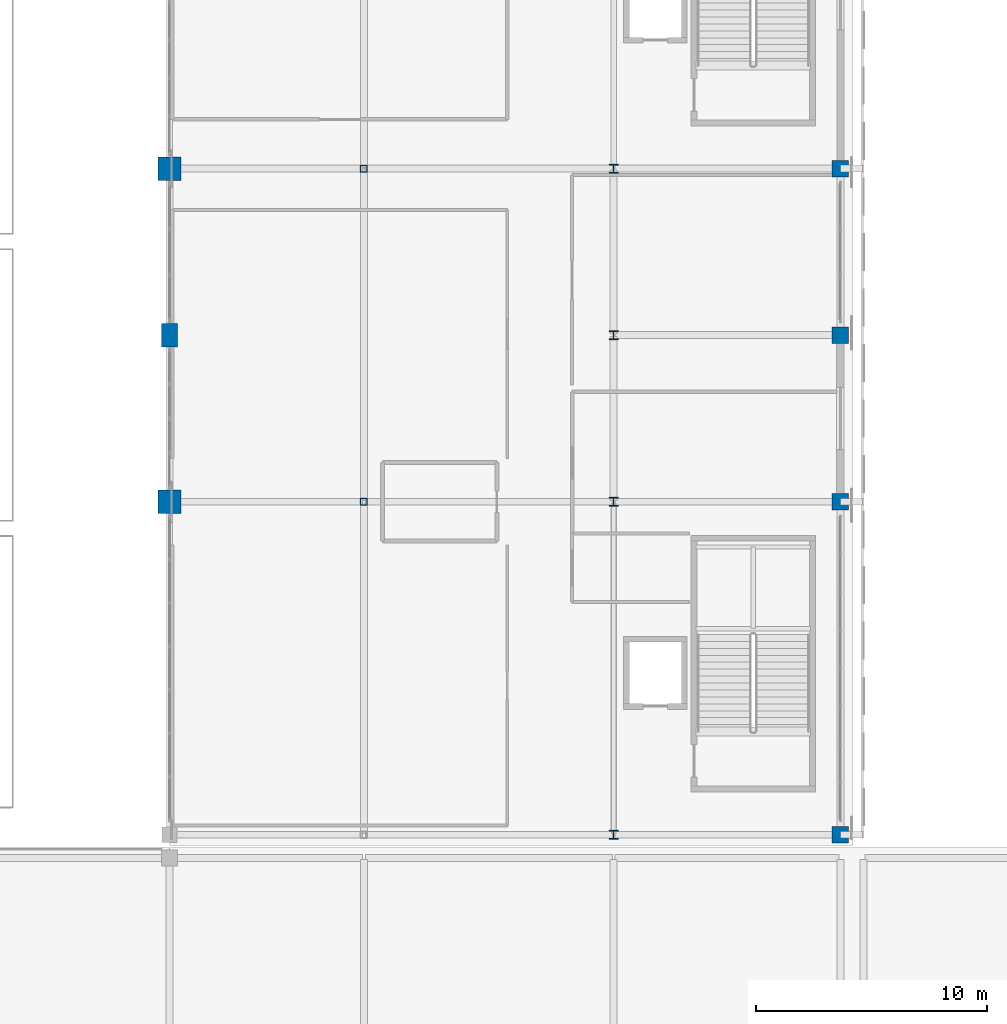
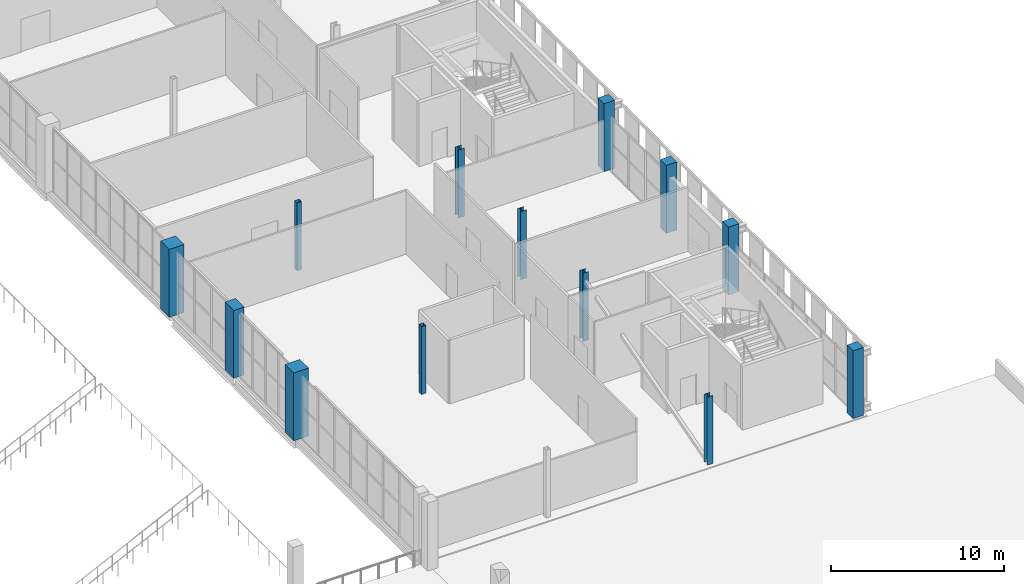
# One storey, part 7 of 104: 13 columns.
"""IFC4 building model written with IfcOpenShell, lengths in metres."""

from ifc_helpers import new_model, si_unit, direction, frame, origin, origin_2d, place, context, subcontext, project, spatial, rectangle, hollow_rectangle, i_section, extrude, material, material_profile, profile_set, type_object, element, save


model = new_model("IFC4")

# Units and contexts
model_context = context("Model", 3, precision=1e-05, world=origin(), true_north=direction((0.0, 1.0)))
body_context = subcontext(model_context, "Body", "Model", "MODEL_VIEW")
ifc_project = project(units=[si_unit("LENGTHUNIT", "METRE"), si_unit("AREAUNIT", "SQUARE_METRE"), si_unit("VOLUMEUNIT", "CUBIC_METRE"), si_unit("PLANEANGLEUNIT", "RADIAN"), si_unit("MASSUNIT", "GRAM", prefix="KILO")], contexts=[model_context])

# Site, building, storey
site_placement = place(None, origin())
site = spatial("IfcSite", under=ifc_project, at=site_placement, CompositionType="ELEMENT")
building_placement = place(site_placement, origin())
building = spatial("IfcBuilding", under=site, at=building_placement, Name="Koshinbarg Plaza Stadium", CompositionType="ELEMENT")
storey_placement = place(building_placement, frame((0.0, 0.0, 19.800048828125)))
storey = spatial("IfcBuildingStorey", under=building, at=storey_placement, Name="L04", CompositionType="ELEMENT", Elevation=19.800048828125)

# Columns
ifc_material_1 = material(Name="Concrete C40/50", Category="concrete")
ifc_material_profile_1 = material_profile(ifc_material_1, rectangle(XDim=0.699951171875, YDim=0.699951171875, at=origin_2d()), Name="RC 700x700")
ifc_profile_set_1 = profile_set([ifc_material_profile_1], Name="Concrete C40/50")
column_type_1 = type_object("IfcColumnType", Name="COL-RC-06", PredefinedType="COLUMN", material=ifc_profile_set_1)
for number, where, z_axis, x_axis, name in (
    (1, (218.39990234375, 25.5, 0.0), (0.0, 0.0, 1.0), (1.0, 0.0, 0.0), "L04 column 21/E"),
    (2, (218.39990234375, 39.89990234375, 0.0), (0.0, 0.0, 1.0), (1.0, 0.0, 0.0), "L04 column 21/F"),
    (3, (218.39990234375, 47.10009765625, 0.0), (0.0, 0.0, 1.0), (1.0, 0.0, 0.0), "L04 column 21/G"),
    (4, (218.39990234375, 54.300048828125, 0.0), (0.0, 0.0, 1.0), (1.0, 0.0, 0.0), "L04 column 21/H"),
):
    element("IfcColumn", number, at=place(storey_placement, frame(where, z_axis=z_axis, x_axis=x_axis)), inside=storey, type_object=column_type_1, Name=name, PredefinedType="COLUMN", context=body_context, shape_type="SweptSolid", body=[
        extrude(rectangle(XDim=0.699951171875, YDim=0.699951171875, at=origin_2d()), origin(), (0.0, 0.0, 1.0), 4.800048828125),
    ])
ifc_material_profile_2 = material_profile(ifc_material_1, rectangle(XDim=1.0, YDim=1.0, at=origin_2d()), Name="RC 1000x1000")
ifc_profile_set_2 = profile_set([ifc_material_profile_2], Name="Concrete C40/50")
column_type_2 = type_object("IfcColumnType", Name="COL-RC-11", PredefinedType="COLUMN", material=ifc_profile_set_2)
for number, where, z_axis, x_axis, name in (
    (5, (189.39990234375, 39.89990234375, 0.0), (0.0, 0.0, 1.0), (1.0, 0.0, 0.0), "L04 column 18/F"),
    (6, (189.39990234375, 54.300048828125, 0.0), (0.0, 0.0, 1.0), (1.0, 0.0, 0.0), "L04 column 18/H"),
):
    element("IfcColumn", number, at=place(storey_placement, frame(where, z_axis=z_axis, x_axis=x_axis)), inside=storey, type_object=column_type_2, Name=name, PredefinedType="COLUMN", context=body_context, shape_type="SweptSolid", body=[
        extrude(rectangle(XDim=1.0, YDim=1.0, at=origin_2d()), origin(), (0.0, 0.0, 1.0), 4.800048828125),
    ])
ifc_material_profile_3 = material_profile(ifc_material_1, rectangle(XDim=0.699951171875, YDim=1.0, at=origin_2d()), Name="RC 700x1000")
ifc_profile_set_3 = profile_set([ifc_material_profile_3], Name="Concrete C40/50")
column_type_3 = type_object("IfcColumnType", Name="COL-RC-13", PredefinedType="COLUMN", material=ifc_profile_set_3)
column_placement = place(storey_placement, frame((189.39990234375, 47.10009765625, 0.0), z_axis=(0.0, 0.0, 1.0), x_axis=(1.0, 0.0, 0.0)))
element("IfcColumn", 7, at=column_placement, inside=storey, type_object=column_type_3, Name="L04 column 18/G", PredefinedType="COLUMN", context=body_context, shape_type="SweptSolid", body=[
    extrude(rectangle(XDim=0.699951171875, YDim=1.0, at=origin_2d()), origin(), (0.0, 0.0, 1.0), 4.800048828125),
])
ifc_material_2 = material(Name="Steel S355", Category="steel")
ifc_material_profile_4 = material_profile(ifc_material_2, i_section(OverallWidth=0.39501953125, OverallDepth=0.3798828125, WebThickness=0.018798828125, FlangeThickness=0.0302734375, at=origin_2d()), Name="HD 400x237")
ifc_profile_set_4 = profile_set([ifc_material_profile_4], Name="Steel S355")
column_type_4 = type_object("IfcColumnType", Name="COL-STL-01", PredefinedType="COLUMN", material=ifc_profile_set_4)
for number, where, z_axis, x_axis, name in (
    (8, (208.60009765625, 25.5, 0.0), (0.0, 0.0, 1.0), (1.0, 0.0, 0.0), "L04 column 20/E"),
    (9, (208.60009765625, 39.89990234375, 0.0), (0.0, 0.0, 1.0), (1.0, 0.0, 0.0), "L04 column 20/F"),
    (10, (208.60009765625, 47.10009765625, 0.0), (0.0, 0.0, 1.0), (1.0, 0.0, 0.0), "L04 column 20/G"),
    (11, (208.60009765625, 54.300048828125, 0.0), (0.0, 0.0, 1.0), (1.0, 0.0, 0.0), "L04 column 20/H"),
):
    element("IfcColumn", number, at=place(storey_placement, frame(where, z_axis=z_axis, x_axis=x_axis)), inside=storey, type_object=column_type_4, Name=name, PredefinedType="COLUMN", context=body_context, shape_type="SweptSolid", body=[
        extrude(i_section(OverallWidth=0.39501953125, OverallDepth=0.3798828125, WebThickness=0.018798828125, FlangeThickness=0.0302734375, at=origin_2d()), origin(), (0.0, 0.0, 1.0), 4.800048828125),
    ])
ifc_material_profile_5 = material_profile(ifc_material_2, hollow_rectangle(XDim=0.300048828125, YDim=0.300048828125, WallThickness=0.01611328125, at=origin_2d()), Name="SHS 300x300x16")
ifc_profile_set_5 = profile_set([ifc_material_profile_5], Name="Steel S355")
column_type_5 = type_object("IfcColumnType", Name="COL-STL-06", PredefinedType="COLUMN", material=ifc_profile_set_5)
for number, where, z_axis, x_axis, name in (
    (12, (197.800048828125, 39.89990234375, 0.0), (0.0, 0.0, 1.0), (1.0, 0.0, 0.0), "L04 column 19/F"),
    (13, (197.800048828125, 54.300048828125, 0.0), (0.0, 0.0, 1.0), (1.0, 0.0, 0.0), "L04 column 19/H"),
):
    element("IfcColumn", number, at=place(storey_placement, frame(where, z_axis=z_axis, x_axis=x_axis)), inside=storey, type_object=column_type_5, Name=name, PredefinedType="COLUMN", context=body_context, shape_type="SweptSolid", body=[
        extrude(hollow_rectangle(XDim=0.300048828125, YDim=0.300048828125, WallThickness=0.01611328125, at=origin_2d()), origin(), (0.0, 0.0, 1.0), 4.800048828125),
    ])

save(model, "model.ifc")
